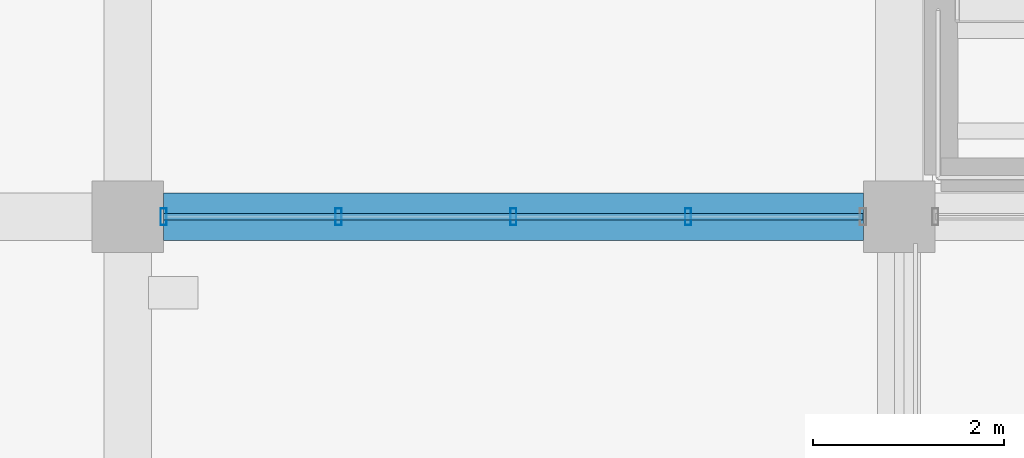
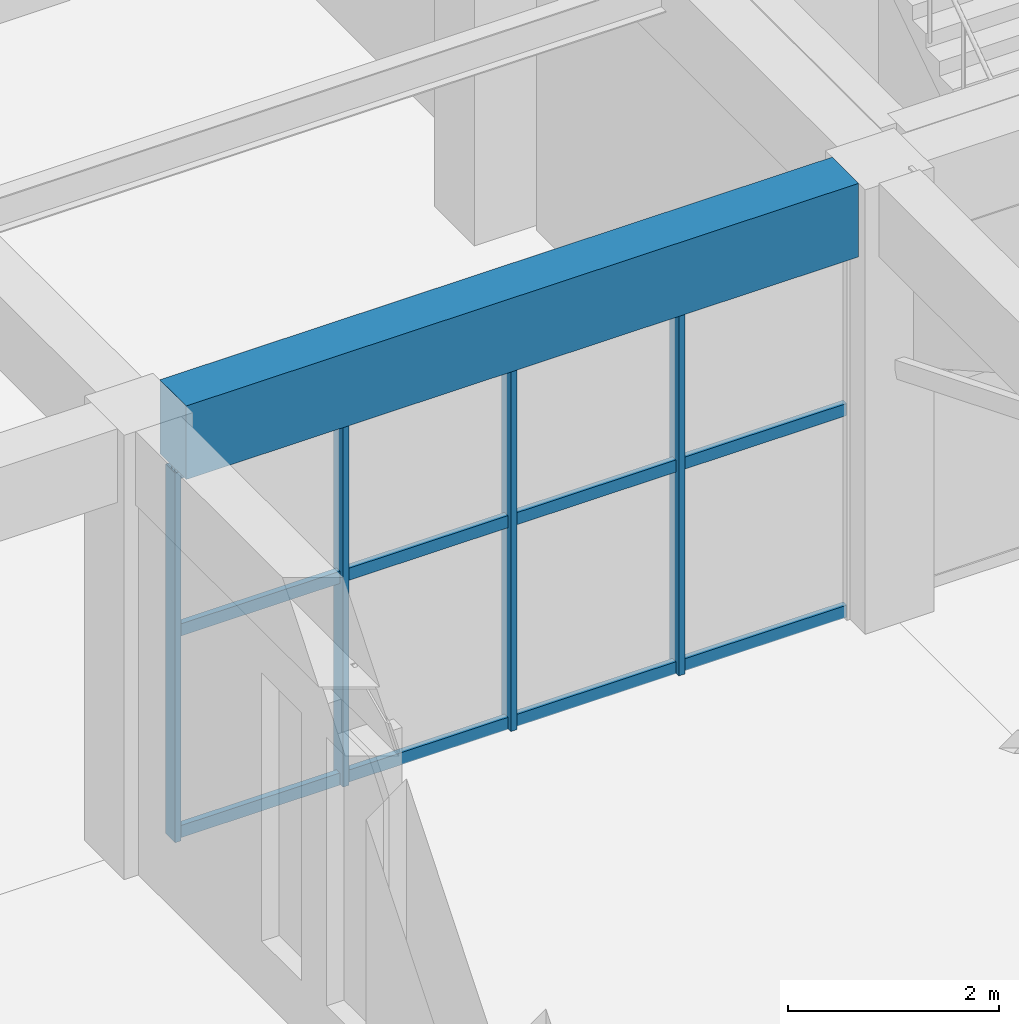
# One storey, part 6 of 140: 7 members, 1 beam, 1 element without a shape of its own.
"""IFC4 building model written with IfcOpenShell, lengths in metres."""

from ifc_helpers import new_model, si_unit, direction, frame, origin, origin_2d, place, context, subcontext, project, spatial, rectangle, hollow_rectangle, extrude, material, material_profile, profile_set, type_object, element, aggregate, save


model = new_model("IFC4")

# Units and contexts
model_context = context("Model", 3, precision=1e-05, world=origin(), true_north=direction((0.0, 1.0)))
body_context = subcontext(model_context, "Body", "Model", "MODEL_VIEW")
ifc_project = project(units=[si_unit("LENGTHUNIT", "METRE"), si_unit("AREAUNIT", "SQUARE_METRE"), si_unit("VOLUMEUNIT", "CUBIC_METRE"), si_unit("PLANEANGLEUNIT", "RADIAN"), si_unit("MASSUNIT", "GRAM", prefix="KILO")], contexts=[model_context])

# Site, building, storey
site_placement = place(None, origin())
site = spatial("IfcSite", under=ifc_project, at=site_placement, CompositionType="ELEMENT")
building_placement = place(site_placement, origin())
building = spatial("IfcBuilding", under=site, at=building_placement, Name="Cimatlan Art Gallery", CompositionType="ELEMENT")
storey_placement = place(building_placement, origin())
storey = spatial("IfcBuildingStorey", under=building, at=storey_placement, Name="L00", CompositionType="ELEMENT", Elevation=0.0)

# Beam
ifc_material_1 = material(Name="Concrete C40/50", Category="concrete")
ifc_material_profile_1 = material_profile(ifc_material_1, rectangle(XDim=0.5, YDim=0.85009765625, at=origin_2d()), Name="RC500X850")
ifc_profile_set_1 = profile_set([ifc_material_profile_1], Name="Concrete C40/50")
beam_type = type_object("IfcBeamType", Name="BM-RC-500X850", PredefinedType="BEAM", material=ifc_profile_set_1)
beam_placement = place(storey_placement, frame((26.675048828125, 23.89990234375, 4.7099609375), z_axis=(1.0, 0.0, 0.0), x_axis=(0.0, 1.0, 0.0)))
element("IfcBeam", 1, at=beam_placement, inside=storey, type_object=beam_type, Name="BM-X-L00-03-03", PredefinedType="BEAM", context=body_context, shape_type="SweptSolid", body=[
    extrude(rectangle(XDim=0.5, YDim=0.85009765625, at=origin_2d()), origin(), (0.0, 0.0, 1.0), 7.349853515625),
])

# Curtain wall, members
ifc_material_2 = material(Name="Anodised bronze unitised curtain wall")
curtain_wall_type = type_object("IfcCurtainWallType", Name="CW-V-07342X04270-B4", PredefinedType="NOTDEFINED", material=ifc_material_2)
curtain_wall_placement = place(storey_placement, origin())
curtain_wall = element("IfcCurtainWall", 2, at=curtain_wall_placement, inside=storey, type_object=curtain_wall_type, Name="CW-L00-03-03-S", PredefinedType="NOTDEFINED")
ifc_material_3 = material(Name="Anodised bronze aluminium 6063-T6", Category="aluminium")
ifc_material_profile_2 = material_profile(ifc_material_3, hollow_rectangle(XDim=0.06494140625, YDim=0.179931640625, WallThickness=0.00390625, at=origin_2d()), Name="ALU65X180X4")
ifc_profile_set_2 = profile_set([ifc_material_profile_2], Name="Anodised bronze aluminium 6063-T6")
member_type_1 = type_object("IfcMemberType", Name="CW-MUL-180", PredefinedType="MULLION", material=ifc_profile_set_2)
member_1_placement = place(storey_placement, frame((32.185546875, 23.89990234375, 0.0), z_axis=(0.0, 0.0, 1.0), x_axis=(1.0, 0.0, 0.0)))
member_1 = element("IfcMember", 3, at=member_1_placement, type_object=member_type_1, Name="CW-L00-03-03-S-M2", PredefinedType="MULLION", context=body_context, shape_type="SweptSolid", body=[
    extrude(hollow_rectangle(XDim=0.06494140625, YDim=0.179931640625, WallThickness=0.00390625, at=origin_2d()), origin(), (0.0, 0.0, 1.0), 4.27001953125),
])
member_2_placement = place(storey_placement, frame((30.35009765625, 23.89990234375, 0.0), z_axis=(0.0, 0.0, 1.0), x_axis=(1.0, 0.0, 0.0)))
member_2 = element("IfcMember", 4, at=member_2_placement, type_object=member_type_1, Name="CW-L00-03-03-S-M3", PredefinedType="MULLION", context=body_context, shape_type="SweptSolid", body=[
    extrude(hollow_rectangle(XDim=0.06494140625, YDim=0.179931640625, WallThickness=0.00390625, at=origin_2d()), origin(), (0.0, 0.0, 1.0), 4.27001953125),
])
member_3_placement = place(storey_placement, frame((28.514404296875, 23.89990234375, 0.0), z_axis=(0.0, 0.0, 1.0), x_axis=(1.0, 0.0, 0.0)))
member_3 = element("IfcMember", 5, at=member_3_placement, type_object=member_type_1, Name="CW-L00-03-03-S-M4", PredefinedType="MULLION", context=body_context, shape_type="SweptSolid", body=[
    extrude(hollow_rectangle(XDim=0.06494140625, YDim=0.179931640625, WallThickness=0.00390625, at=origin_2d()), origin(), (0.0, 0.0, 1.0), 4.27001953125),
])
member_4_placement = place(storey_placement, frame((26.678955078125, 23.89990234375, 0.0), z_axis=(0.0, 0.0, 1.0), x_axis=(1.0, 0.0, 0.0)))
member_4 = element("IfcMember", 6, at=member_4_placement, type_object=member_type_1, Name="CW-L00-03-03-S-M5", PredefinedType="MULLION", context=body_context, shape_type="SweptSolid", body=[
    extrude(hollow_rectangle(XDim=0.06494140625, YDim=0.179931640625, WallThickness=0.00390625, at=origin_2d()), origin(), (0.0, 0.0, 1.0), 4.27001953125),
])
ifc_material_profile_3 = material_profile(ifc_material_3, hollow_rectangle(XDim=0.06494140625, YDim=0.139892578125, WallThickness=0.00390625, at=origin_2d()), Name="ALU65X140X4")
ifc_profile_set_3 = profile_set([ifc_material_profile_3], Name="Anodised bronze aluminium 6063-T6")
member_type_2 = type_object("IfcMemberType", Name="CW-TRN-140", PredefinedType="USERDEFINED", material=ifc_profile_set_3)
member_5_placement = place(storey_placement, frame((34.02099609375, 23.89990234375, 0.06005859375), z_axis=(-1.0, 0.0, 0.0), x_axis=(0.0, -1.0, 0.0)))
member_5 = element("IfcMember", 7, at=member_5_placement, type_object=member_type_2, Name="CW-L00-03-03-S-T1", ObjectType="TRANSOM", PredefinedType="USERDEFINED", context=body_context, shape_type="SweptSolid", body=[
    extrude(hollow_rectangle(XDim=0.06494140625, YDim=0.139892578125, WallThickness=0.00390625, at=origin_2d()), origin(), (0.0, 0.0, 1.0), 7.342041015625),
])
member_6_placement = place(storey_placement, frame((34.02099609375, 23.89990234375, 2.39111328125), z_axis=(-1.0, 0.0, 0.0), x_axis=(0.0, -1.0, 0.0)))
member_6 = element("IfcMember", 8, at=member_6_placement, type_object=member_type_2, Name="CW-L00-03-03-S-T2", ObjectType="TRANSOM", PredefinedType="USERDEFINED", context=body_context, shape_type="SweptSolid", body=[
    extrude(hollow_rectangle(XDim=0.06494140625, YDim=0.139892578125, WallThickness=0.00390625, at=origin_2d()), origin(), (0.0, 0.0, 1.0), 7.342041015625),
])
member_7_placement = place(storey_placement, frame((34.02099609375, 23.89990234375, 4.2099609375), z_axis=(-1.0, 0.0, 0.0), x_axis=(0.0, -1.0, 0.0)))
member_7 = element("IfcMember", 9, at=member_7_placement, type_object=member_type_2, Name="CW-L00-03-03-S-T3", ObjectType="TRANSOM", PredefinedType="USERDEFINED", context=body_context, shape_type="SweptSolid", body=[
    extrude(hollow_rectangle(XDim=0.06494140625, YDim=0.139892578125, WallThickness=0.00390625, at=origin_2d()), origin(), (0.0, 0.0, 1.0), 7.342041015625),
])
aggregate(curtain_wall, [member_1, member_2, member_3, member_4, member_5, member_6, member_7])

save(model, "model.ifc")
